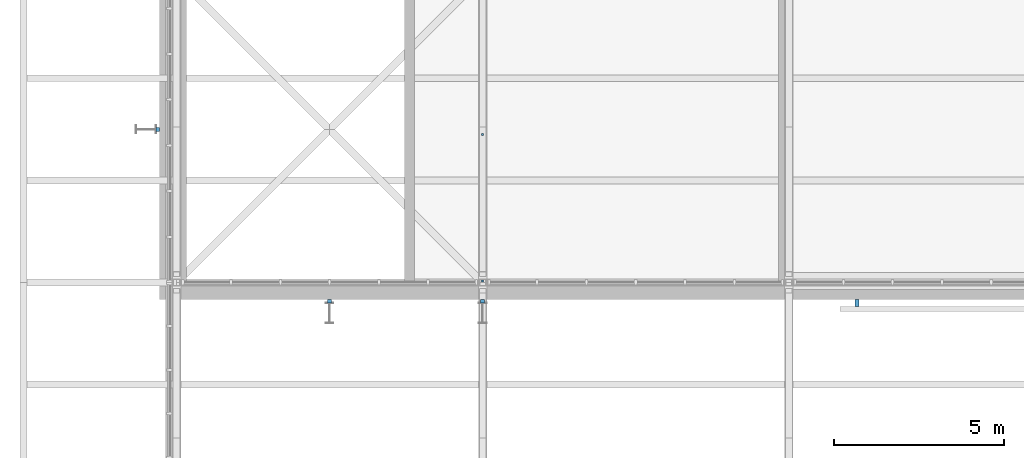
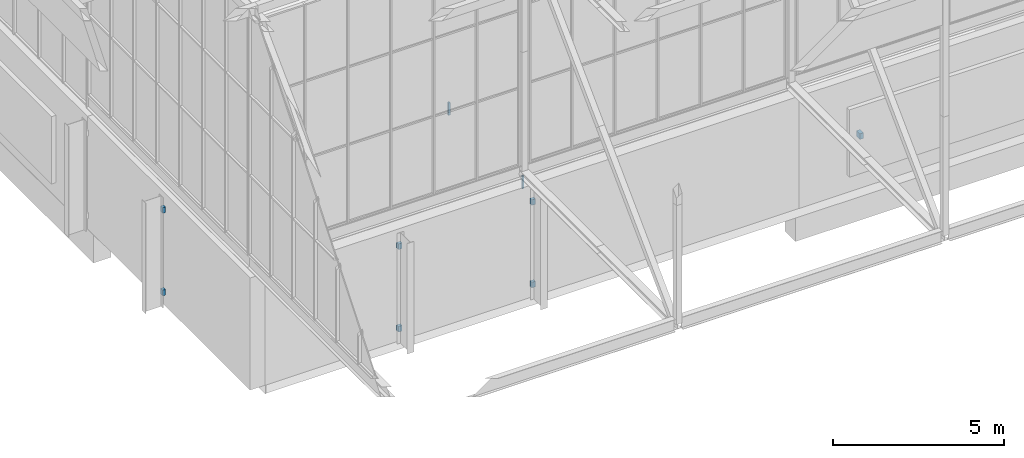
# One storey, part 176 of 646: 9 discrete accessories.
"""IFC4 building model written with IfcOpenShell, lengths in metres."""

from ifc_helpers import new_model, si_unit, direction, frame, origin, origin_2d, place, context, subcontext, project, spatial, rectangle, extrude, material, type_object, element, save


model = new_model("IFC4")

# Units and contexts
model_context = context("Model", 3, precision=1e-05, world=origin(), true_north=direction((0.0, 1.0)))
body_context = subcontext(model_context, "Body", "Model", "MODEL_VIEW")
ifc_project = project(units=[si_unit("LENGTHUNIT", "METRE"), si_unit("AREAUNIT", "SQUARE_METRE"), si_unit("VOLUMEUNIT", "CUBIC_METRE"), si_unit("PLANEANGLEUNIT", "RADIAN"), si_unit("MASSUNIT", "GRAM", prefix="KILO")], contexts=[model_context])

# Site, building, storey
site_placement = place(None, origin())
site = spatial("IfcSite", under=ifc_project, at=site_placement, CompositionType="ELEMENT")
building_placement = place(site_placement, origin())
building = spatial("IfcBuilding", under=site, at=building_placement, Name="Silverbay Arena", CompositionType="ELEMENT")
storey_placement = place(building_placement, frame((0.0, 0.0, 33.5)))
storey = spatial("IfcBuildingStorey", under=building, at=storey_placement, Name="L05", CompositionType="ELEMENT", Elevation=33.5)

# Discrete accessories
ifc_material_1 = material(Name="Steel S355", Category="steel")
discrete_accessory_type_1 = type_object("IfcDiscreteAccessoryType", Name="Ceiling hanger", PredefinedType="BRACKET", material=ifc_material_1)
for number, where, z_axis, x_axis, name in (
    (1, (63.0, 18.0400390625, 3.5498046875), (0.0, 0.0, 1.0), (1.0, 0.0, 0.0), "Ceiling hanger"),
    (2, (63.0, 22.35009765625, 3.5498046875), (0.0, 0.0, 1.0), (1.0, 0.0, 0.0), "Ceiling hanger"),
):
    element("IfcDiscreteAccessory", number, at=place(storey_placement, frame(where, z_axis=z_axis, x_axis=x_axis)), inside=storey, type_object=discrete_accessory_type_1, Name=name, PredefinedType="BRACKET", context=body_context, shape_type="SweptSolid", body=[
        extrude(rectangle(XDim=0.06005859375, YDim=0.06005859375, at=origin_2d()), origin(), (0.0, 0.0, 1.0), 0.449951171875),
    ])
ifc_material_2 = material(Name="Steel S355", Category="steel")
discrete_accessory_type_2 = type_object("IfcDiscreteAccessoryType", Name="Steel bracket plate", PredefinedType="BRACKET", material=ifc_material_2)
discrete_accessory_placement = place(storey_placement, frame((74.0, 17.39990234375, 1.89990234375), z_axis=(0.0, 0.0, 1.0), x_axis=(1.0, 0.0, 0.0)))
element("IfcDiscreteAccessory", 3, at=discrete_accessory_placement, inside=storey, type_object=discrete_accessory_type_2, Name="Louvre support bracket", PredefinedType="BRACKET", context=body_context, shape_type="SweptSolid", body=[
    extrude(rectangle(XDim=0.1201171875, YDim=0.199951171875, at=origin_2d()), origin(), (0.0, 0.0, 1.0), 0.199951171875),
])
for number, where, z_axis, x_axis, name in (
    (4, (58.5, 17.449951171875, 0.39990234375), (0.0, 0.0, 1.0), (1.0, 0.0, 0.0), "Fin bracket"),
    (5, (58.5, 17.449951171875, 3.33984375), (0.0, 0.0, 1.0), (1.0, 0.0, 0.0), "Fin bracket"),
    (6, (63.0, 17.449951171875, 0.39990234375), (0.0, 0.0, 1.0), (1.0, 0.0, 0.0), "Fin bracket"),
    (7, (63.0, 17.449951171875, 3.33984375), (0.0, 0.0, 1.0), (1.0, 0.0, 0.0), "Fin bracket"),
):
    element("IfcDiscreteAccessory", number, at=place(storey_placement, frame(where, z_axis=z_axis, x_axis=x_axis)), inside=storey, type_object=discrete_accessory_type_2, Name=name, PredefinedType="BRACKET", context=body_context, shape_type="SweptSolid", body=[
        extrude(rectangle(XDim=0.1201171875, YDim=0.10009765625, at=origin_2d()), origin(), (0.0, 0.0, 1.0), 0.199951171875),
    ])
for number, where, z_axis, x_axis, name in (
    (8, (53.449951171875, 22.5, 0.39990234375), (0.0, 0.0, 1.0), (1.0, 0.0, 0.0), "Fin bracket"),
    (9, (53.449951171875, 22.5, 3.33984375), (0.0, 0.0, 1.0), (1.0, 0.0, 0.0), "Fin bracket"),
):
    element("IfcDiscreteAccessory", number, at=place(storey_placement, frame(where, z_axis=z_axis, x_axis=x_axis)), inside=storey, type_object=discrete_accessory_type_2, Name=name, PredefinedType="BRACKET", context=body_context, shape_type="SweptSolid", body=[
        extrude(rectangle(XDim=0.10009765625, YDim=0.1201171875, at=origin_2d()), origin(), (0.0, 0.0, 1.0), 0.199951171875),
    ])

save(model, "model.ifc")
